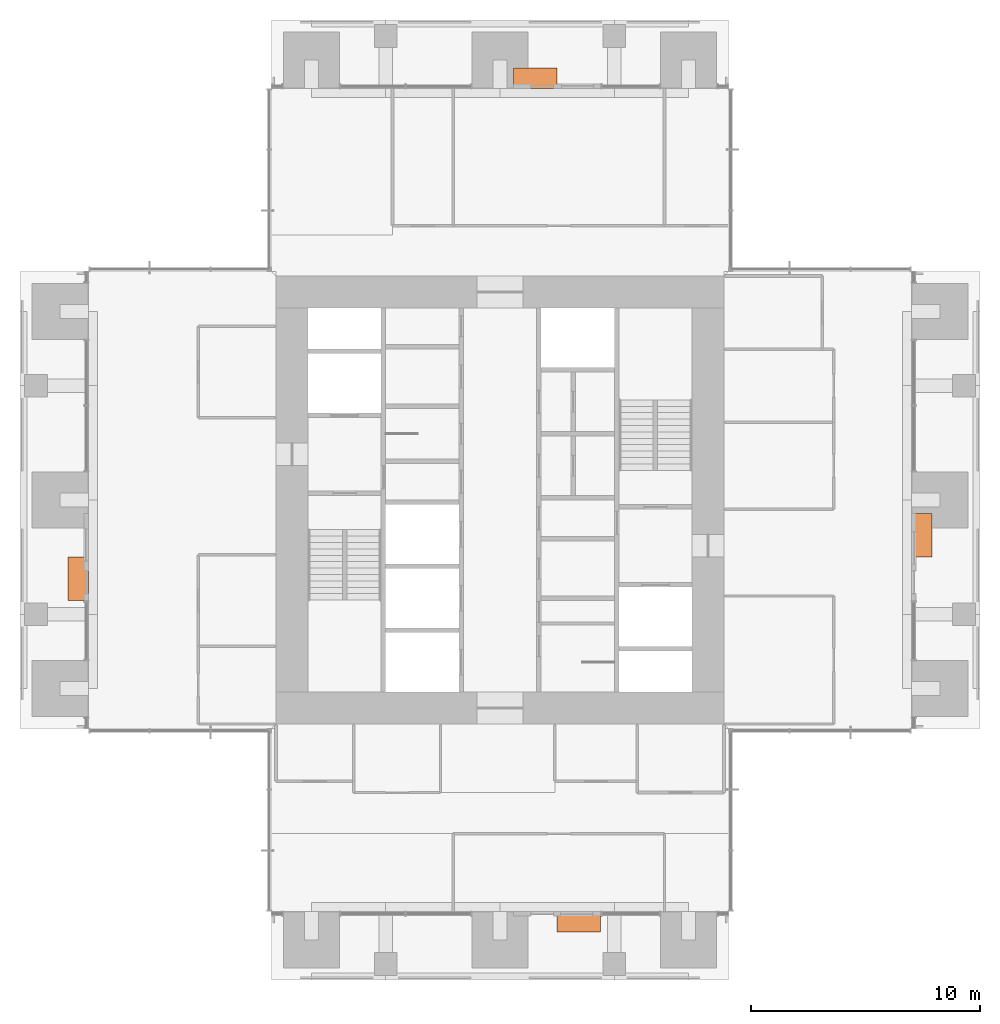
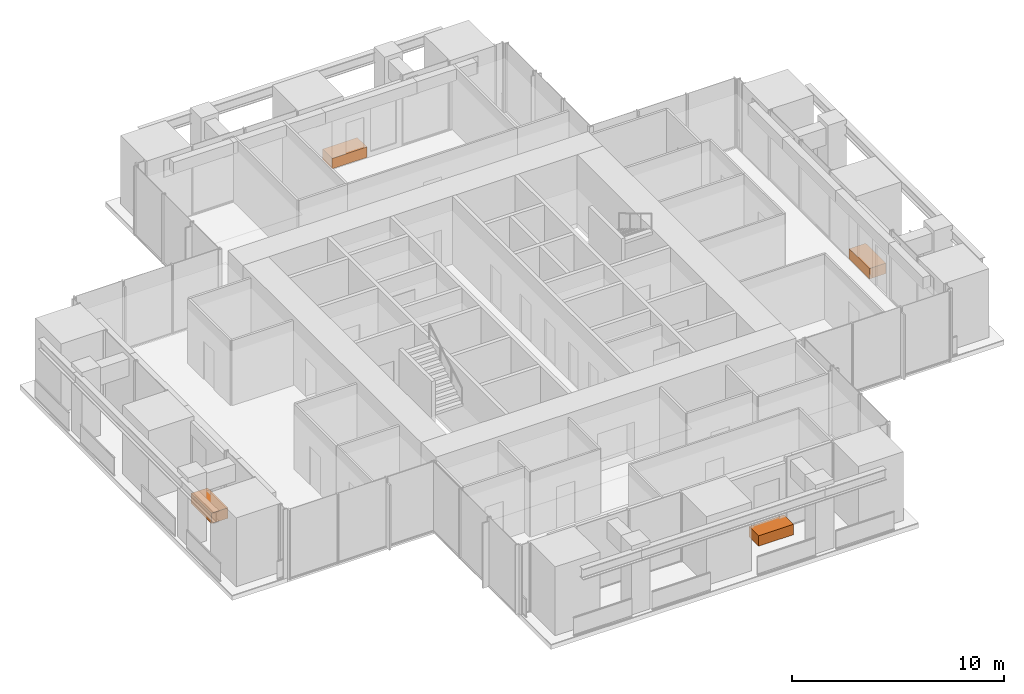
# One storey, part 17 of 17: 4 proxies.
"""IFC4 building model written with IfcOpenShell, lengths in metres."""

from ifc_helpers import new_model, si_unit, direction, frame, origin, origin_2d, place, context, subcontext, project, spatial, rectangle, extrude, element, save


model = new_model("IFC4")

# Units and contexts
model_context = context("Model", 3, precision=1e-05, world=origin(), true_north=direction((0.0, 1.0)))
body_context = subcontext(model_context, "Body", "Model", "MODEL_VIEW")
ifc_project = project(units=[si_unit("LENGTHUNIT", "METRE"), si_unit("AREAUNIT", "SQUARE_METRE"), si_unit("VOLUMEUNIT", "CUBIC_METRE"), si_unit("PLANEANGLEUNIT", "RADIAN"), si_unit("MASSUNIT", "GRAM", prefix="KILO")], contexts=[model_context])

# Site, building, storey
site_placement = place(None, origin())
site = spatial("IfcSite", under=ifc_project, at=site_placement, CompositionType="ELEMENT")
building_placement = place(site_placement, origin())
building = spatial("IfcBuilding", under=site, at=building_placement, Name="Svetlomir Tower", CompositionType="ELEMENT")
storey_placement = place(building_placement, frame((0.0, 0.0, 194.5)))
storey = spatial("IfcBuildingStorey", under=building, at=storey_placement, Name="L46", CompositionType="ELEMENT", Elevation=194.5)

# Proxies
proxy_1_placement = place(storey_placement, frame((24.449951171875, 2.550048828125, 0.0400390625), z_axis=(0.0, 0.0, 1.0), x_axis=(1.0, 0.0, 0.0)))
element("IfcBuildingElementProxy", 1, at=proxy_1_placement, inside=storey, Name="Tree planter S L46", ObjectType="PLANTER", PredefinedType="USERDEFINED", context=body_context, shape_type="SweptSolid", body=[
    extrude(rectangle(XDim=1.89990234375, YDim=0.89990234375, at=origin_2d()), origin(), (0.0, 0.0, 1.0), 0.60009765625),
])
proxy_2_placement = place(storey_placement, frame((39.449951171875, 19.449951171875, 0.0400390625), z_axis=(0.0, 0.0, 1.0), x_axis=(1.0, 0.0, 0.0)))
element("IfcBuildingElementProxy", 2, at=proxy_2_placement, inside=storey, Name="Tree planter E L46", ObjectType="PLANTER", PredefinedType="USERDEFINED", context=body_context, shape_type="SweptSolid", body=[
    extrude(rectangle(XDim=0.89990234375, YDim=1.89990234375, at=origin_2d()), origin(), (0.0, 0.0, 1.0), 0.60009765625),
])
proxy_3_placement = place(storey_placement, frame((22.550048828125, 39.449951171875, 0.0400390625), z_axis=(0.0, 0.0, 1.0), x_axis=(1.0, 0.0, 0.0)))
element("IfcBuildingElementProxy", 3, at=proxy_3_placement, inside=storey, Name="Tree planter N L46", ObjectType="PLANTER", PredefinedType="USERDEFINED", context=body_context, shape_type="SweptSolid", body=[
    extrude(rectangle(XDim=1.89990234375, YDim=0.89990234375, at=origin_2d()), origin(), (0.0, 0.0, 1.0), 0.60009765625),
])
proxy_4_placement = place(storey_placement, frame((2.550048828125, 17.550048828125, 0.0400390625), z_axis=(0.0, 0.0, 1.0), x_axis=(1.0, 0.0, 0.0)))
element("IfcBuildingElementProxy", 4, at=proxy_4_placement, inside=storey, Name="Tree planter W L46", ObjectType="PLANTER", PredefinedType="USERDEFINED", context=body_context, shape_type="SweptSolid", body=[
    extrude(rectangle(XDim=0.89990234375, YDim=1.89990234375, at=origin_2d()), origin(), (0.0, 0.0, 1.0), 0.60009765625),
])

save(model, "model.ifc")
